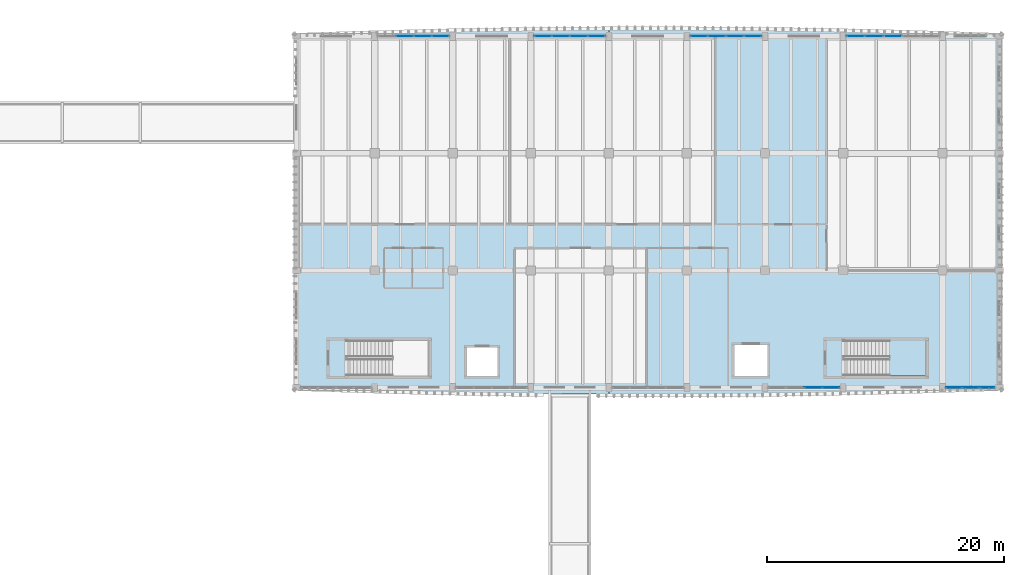
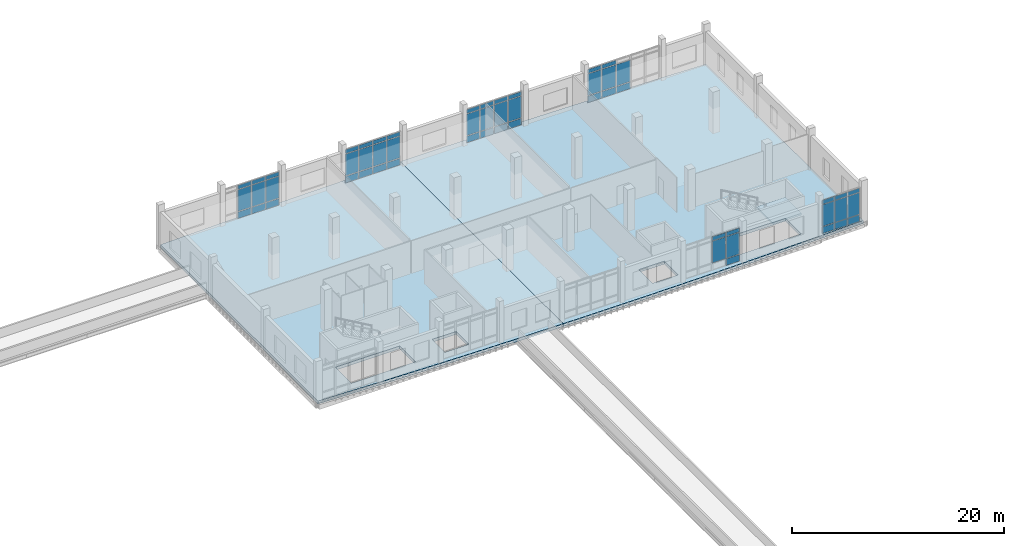
# One storey, part 57 of 101: 55 plates, 3 slabs, 7 elements without a shape of their own.
"""IFC4 building model written with IfcOpenShell, lengths in metres."""

from ifc_helpers import new_model, si_unit, direction, frame, origin, origin_2d, place, context, subcontext, project, spatial, polyline, rectangle, outline, extrude, material, layer, layer_set, type_object, element, aggregate, save


model = new_model("IFC4")

# Units and contexts
model_context = context("Model", 3, precision=1e-05, world=origin(), true_north=direction((0.0, 1.0)))
body_context = subcontext(model_context, "Body", "Model", "MODEL_VIEW")
ifc_project = project(units=[si_unit("LENGTHUNIT", "METRE"), si_unit("AREAUNIT", "SQUARE_METRE"), si_unit("VOLUMEUNIT", "CUBIC_METRE"), si_unit("PLANEANGLEUNIT", "RADIAN"), si_unit("MASSUNIT", "GRAM", prefix="KILO")], contexts=[model_context])

# Site, building, storey
site_placement = place(None, origin())
site = spatial("IfcSite", under=ifc_project, at=site_placement, CompositionType="ELEMENT")
building_placement = place(site_placement, origin())
building = spatial("IfcBuilding", under=site, at=building_placement, Name="Dornvale Research Institute", CompositionType="ELEMENT")
storey_placement = place(building_placement, frame((0.0, 0.0, 10.199951171875)))
storey = spatial("IfcBuildingStorey", under=building, at=storey_placement, Name="L02", CompositionType="ELEMENT", Elevation=10.199951171875)

# Curtain wall, plates
ifc_material_1 = material(Name="Low-E Argon Double Insulating Glazing Unit", Category="glass")
curtain_wall_type_1 = type_object("IfcCurtainWallType", Name="UnitisedCurtainWall_V4_6100x3950", PredefinedType="USERDEFINED", material=ifc_material_1)
curtain_wall_1_placement = place(storey_placement, origin())
curtain_wall_1 = element("IfcCurtainWall", 1, at=curtain_wall_1_placement, inside=storey, type_object=curtain_wall_type_1, Name="L02 V4 unitised curtain wall CW-11 #82", ObjectType="UNITISED CURTAIN WALL", PredefinedType="USERDEFINED")
ifc_material_2 = material(Name="Insulated Ceramic-Frit Spandrel Glass Panel", Category="glass")
ifc_layer_1 = layer(ifc_material_2, 0.0419921875)
ifc_layer_set_1 = layer_set([ifc_layer_1], Name="Insulated Ceramic-Frit Spandrel Glass Panel")
plate_type_1 = type_object("IfcPlateType", Name="CurtainPanel_Spandrel_42", PredefinedType="CURTAIN_PANEL", material=ifc_layer_set_1)
plate_1_placement = place(storey_placement, frame((127.9375, 122.10009765625, 0.065185546875), z_axis=(0.0, 0.0, 1.0), x_axis=(1.0, 0.0, 0.0)))
plate_1 = element("IfcPlate", 2, at=plate_1_placement, type_object=plate_type_1, Name="CW-11 panel 2.1", PredefinedType="CURTAIN_PANEL", context=body_context, shape_type="SweptSolid", body=[
    extrude(rectangle(XDim=1.4599609375, YDim=0.0419921875, at=origin_2d()), origin(), (0.0, 0.0, 1.0), 0.75244140625),
])
plate_2_placement = place(storey_placement, frame((129.46240234375, 122.10009765625, 0.065185546875), z_axis=(0.0, 0.0, 1.0), x_axis=(1.0, 0.0, 0.0)))
plate_2 = element("IfcPlate", 3, at=plate_2_placement, type_object=plate_type_1, Name="CW-11 panel 3.1", PredefinedType="CURTAIN_PANEL", context=body_context, shape_type="SweptSolid", body=[
    extrude(rectangle(XDim=1.4599609375, YDim=0.0419921875, at=origin_2d()), origin(), (0.0, 0.0, 1.0), 0.75244140625),
])
plate_3_placement = place(storey_placement, frame((130.97119140625, 122.10009765625, 0.065185546875), z_axis=(0.0, 0.0, 1.0), x_axis=(1.0, 0.0, 0.0)))
plate_3 = element("IfcPlate", 4, at=plate_3_placement, type_object=plate_type_1, Name="CW-11 panel 4.1", PredefinedType="CURTAIN_PANEL", context=body_context, shape_type="SweptSolid", body=[
    extrude(rectangle(XDim=1.427490234375, YDim=0.0419921875, at=origin_2d()), origin(), (0.0, 0.0, 1.0), 0.75244140625),
])

curtain_wall_2_placement = place(storey_placement, origin())
curtain_wall_2 = element("IfcCurtainWall", 5, at=curtain_wall_2_placement, inside=storey, type_object=curtain_wall_type_1, Name="L02 V4 unitised curtain wall CW-11 #83", ObjectType="UNITISED CURTAIN WALL", PredefinedType="USERDEFINED")
plate_4_placement = place(storey_placement, frame((139.628662109375, 122.10009765625, 0.065185546875), z_axis=(0.0, 0.0, 1.0), x_axis=(1.0, 0.0, 0.0)))
plate_4 = element("IfcPlate", 6, at=plate_4_placement, type_object=plate_type_1, Name="CW-11 panel 1.1", PredefinedType="CURTAIN_PANEL", context=body_context, shape_type="SweptSolid", body=[
    extrude(rectangle(XDim=1.427490234375, YDim=0.0419921875, at=origin_2d()), origin(), (0.0, 0.0, 1.0), 0.75244140625),
])
plate_5_placement = place(storey_placement, frame((141.137451171875, 122.10009765625, 0.065185546875), z_axis=(0.0, 0.0, 1.0), x_axis=(1.0, 0.0, 0.0)))
plate_5 = element("IfcPlate", 7, at=plate_5_placement, type_object=plate_type_1, Name="CW-11 panel 2.1", PredefinedType="CURTAIN_PANEL", context=body_context, shape_type="SweptSolid", body=[
    extrude(rectangle(XDim=1.4599609375, YDim=0.0419921875, at=origin_2d()), origin(), (0.0, 0.0, 1.0), 0.75244140625),
])
plate_6_placement = place(storey_placement, frame((142.66259765625, 122.10009765625, 0.065185546875), z_axis=(0.0, 0.0, 1.0), x_axis=(1.0, 0.0, 0.0)))
plate_6 = element("IfcPlate", 8, at=plate_6_placement, type_object=plate_type_1, Name="CW-11 panel 3.1", PredefinedType="CURTAIN_PANEL", context=body_context, shape_type="SweptSolid", body=[
    extrude(rectangle(XDim=1.4599609375, YDim=0.0419921875, at=origin_2d()), origin(), (0.0, 0.0, 1.0), 0.75244140625),
])
plate_7_placement = place(storey_placement, frame((144.171142578125, 122.10009765625, 0.065185546875), z_axis=(0.0, 0.0, 1.0), x_axis=(1.0, 0.0, 0.0)))
plate_7 = element("IfcPlate", 9, at=plate_7_placement, type_object=plate_type_1, Name="CW-11 panel 4.1", PredefinedType="CURTAIN_PANEL", context=body_context, shape_type="SweptSolid", body=[
    extrude(rectangle(XDim=1.427490234375, YDim=0.0419921875, at=origin_2d()), origin(), (0.0, 0.0, 1.0), 0.75244140625),
])

curtain_wall_3_placement = place(storey_placement, origin())
curtain_wall_3 = element("IfcCurtainWall", 10, at=curtain_wall_3_placement, inside=storey, type_object=curtain_wall_type_1, Name="L02 V4 unitised curtain wall CW-11 #84", ObjectType="UNITISED CURTAIN WALL", PredefinedType="USERDEFINED")
plate_8_placement = place(storey_placement, frame((152.828857421875, 122.10009765625, 0.065185546875), z_axis=(0.0, 0.0, 1.0), x_axis=(1.0, 0.0, 0.0)))
plate_8 = element("IfcPlate", 11, at=plate_8_placement, type_object=plate_type_1, Name="CW-11 panel 1.1", PredefinedType="CURTAIN_PANEL", context=body_context, shape_type="SweptSolid", body=[
    extrude(rectangle(XDim=1.427490234375, YDim=0.0419921875, at=origin_2d()), origin(), (0.0, 0.0, 1.0), 0.75244140625),
])
plate_9_placement = place(storey_placement, frame((154.33740234375, 122.10009765625, 0.065185546875), z_axis=(0.0, 0.0, 1.0), x_axis=(1.0, 0.0, 0.0)))
plate_9 = element("IfcPlate", 12, at=plate_9_placement, type_object=plate_type_1, Name="CW-11 panel 2.1", PredefinedType="CURTAIN_PANEL", context=body_context, shape_type="SweptSolid", body=[
    extrude(rectangle(XDim=1.4599609375, YDim=0.0419921875, at=origin_2d()), origin(), (0.0, 0.0, 1.0), 0.75244140625),
])
plate_10_placement = place(storey_placement, frame((155.862548828125, 122.10009765625, 0.065185546875), z_axis=(0.0, 0.0, 1.0), x_axis=(1.0, 0.0, 0.0)))
plate_10 = element("IfcPlate", 13, at=plate_10_placement, type_object=plate_type_1, Name="CW-11 panel 3.1", PredefinedType="CURTAIN_PANEL", context=body_context, shape_type="SweptSolid", body=[
    extrude(rectangle(XDim=1.4599609375, YDim=0.0419921875, at=origin_2d()), origin(), (0.0, 0.0, 1.0), 0.75244140625),
])
plate_11_placement = place(storey_placement, frame((157.371337890625, 122.10009765625, 0.065185546875), z_axis=(0.0, 0.0, 1.0), x_axis=(1.0, 0.0, 0.0)))
plate_11 = element("IfcPlate", 14, at=plate_11_placement, type_object=plate_type_1, Name="CW-11 panel 4.1", PredefinedType="CURTAIN_PANEL", context=body_context, shape_type="SweptSolid", body=[
    extrude(rectangle(XDim=1.427490234375, YDim=0.0419921875, at=origin_2d()), origin(), (0.0, 0.0, 1.0), 0.75244140625),
])

ifc_material_3 = material(Name="Low-E Argon Double Insulating Glazing Unit", Category="glass")
curtain_wall_type_2 = type_object("IfcCurtainWallType", Name="UnitisedCurtainWall_V4_7900x3950", PredefinedType="USERDEFINED", material=ifc_material_3)
curtain_wall_4_placement = place(storey_placement, origin())
curtain_wall_4 = element("IfcCurtainWall", 15, at=curtain_wall_4_placement, inside=storey, type_object=curtain_wall_type_2, Name="L02 V4 unitised curtain wall CW-12 #85", ObjectType="UNITISED CURTAIN WALL", PredefinedType="USERDEFINED")
plate_12_placement = place(storey_placement, frame((166.05615234375, 122.10009765625, 0.065185546875), z_axis=(0.0, 0.0, 1.0), x_axis=(1.0, 0.0, 0.0)))
plate_12 = element("IfcPlate", 16, at=plate_12_placement, type_object=plate_type_1, Name="CW-12 panel 1.1", PredefinedType="CURTAIN_PANEL", context=body_context, shape_type="SweptSolid", body=[
    extrude(rectangle(XDim=1.482421875, YDim=0.0419921875, at=origin_2d()), origin(), (0.0, 0.0, 1.0), 0.75244140625),
])
plate_13_placement = place(storey_placement, frame((167.6201171875, 122.10009765625, 0.065185546875), z_axis=(0.0, 0.0, 1.0), x_axis=(1.0, 0.0, 0.0)))
plate_13 = element("IfcPlate", 17, at=plate_13_placement, type_object=plate_type_1, Name="CW-12 panel 2.1", PredefinedType="CURTAIN_PANEL", context=body_context, shape_type="SweptSolid", body=[
    extrude(rectangle(XDim=1.514892578125, YDim=0.0419921875, at=origin_2d()), origin(), (0.0, 0.0, 1.0), 0.75244140625),
])
plate_14_placement = place(storey_placement, frame((169.199951171875, 122.10009765625, 0.065185546875), z_axis=(0.0, 0.0, 1.0), x_axis=(1.0, 0.0, 0.0)))
plate_14 = element("IfcPlate", 18, at=plate_14_placement, type_object=plate_type_1, Name="CW-12 panel 3.1", PredefinedType="CURTAIN_PANEL", context=body_context, shape_type="SweptSolid", body=[
    extrude(rectangle(XDim=1.514892578125, YDim=0.0419921875, at=origin_2d()), origin(), (0.0, 0.0, 1.0), 0.75244140625),
])

ifc_material_4 = material(Name="Low-E Argon Double Insulating Glazing Unit", Category="glass")
curtain_wall_type_3 = type_object("IfcCurtainWallType", Name="UnitisedCurtainWall_V4_4200x3950", PredefinedType="USERDEFINED", material=ifc_material_4)
curtain_wall_5_placement = place(storey_placement, origin())
curtain_wall_5 = element("IfcCurtainWall", 19, at=curtain_wall_5_placement, inside=storey, type_object=curtain_wall_type_3, Name="L02 V4 unitised curtain wall CW-13 #86", ObjectType="UNITISED CURTAIN WALL", PredefinedType="USERDEFINED")
plate_15_placement = place(storey_placement, frame((177.1337890625, 92.39990234375, 0.065185546875), z_axis=(0.0, 0.0, 1.0), x_axis=(-1.0, 0.0, 0.0)))
plate_15 = element("IfcPlate", 20, at=plate_15_placement, type_object=plate_type_1, Name="CW-13 panel 1.1", PredefinedType="CURTAIN_PANEL", context=body_context, shape_type="SweptSolid", body=[
    extrude(rectangle(XDim=1.302490234375, YDim=0.0419921875, at=origin_2d()), origin(), (0.0, 0.0, 1.0), 0.75244140625),
])
plate_16_placement = place(storey_placement, frame((175.75, 92.39990234375, 0.065185546875), z_axis=(0.0, 0.0, 1.0), x_axis=(-1.0, 0.0, 0.0)))
plate_16 = element("IfcPlate", 21, at=plate_16_placement, type_object=plate_type_1, Name="CW-13 panel 2.1", PredefinedType="CURTAIN_PANEL", context=body_context, shape_type="SweptSolid", body=[
    extrude(rectangle(XDim=1.3349609375, YDim=0.0419921875, at=origin_2d()), origin(), (0.0, 0.0, 1.0), 0.75244140625),
])
plate_17_placement = place(storey_placement, frame((174.3662109375, 92.39990234375, 0.065185546875), z_axis=(0.0, 0.0, 1.0), x_axis=(-1.0, 0.0, 0.0)))
plate_17 = element("IfcPlate", 22, at=plate_17_placement, type_object=plate_type_1, Name="CW-13 panel 3.1", PredefinedType="CURTAIN_PANEL", context=body_context, shape_type="SweptSolid", body=[
    extrude(rectangle(XDim=1.302490234375, YDim=0.0419921875, at=origin_2d()), origin(), (0.0, 0.0, 1.0), 0.75244140625),
])

# Curtain wall, plate
curtain_wall_6_placement = place(storey_placement, origin())
curtain_wall_6 = element("IfcCurtainWall", 23, at=curtain_wall_6_placement, inside=storey, type_object=curtain_wall_type_1, Name="L02 V4 unitised curtain wall CW-11 #87", ObjectType="UNITISED CURTAIN WALL", PredefinedType="USERDEFINED")
plate_18_placement = place(storey_placement, frame((163.97119140625, 92.39990234375, 0.065185546875), z_axis=(0.0, 0.0, 1.0), x_axis=(-1.0, 0.0, 0.0)))
plate_18 = element("IfcPlate", 24, at=plate_18_placement, type_object=plate_type_1, Name="CW-11 panel 1.1", PredefinedType="CURTAIN_PANEL", context=body_context, shape_type="SweptSolid", body=[
    extrude(rectangle(XDim=1.427490234375, YDim=0.0419921875, at=origin_2d()), origin(), (0.0, 0.0, 1.0), 0.75244140625),
])

# Plate
ifc_material_5 = material(Name="Low-E Argon Double Insulating Glazing Unit", Category="glass")
ifc_layer_2 = layer(ifc_material_5, 0.028076171875)
ifc_layer_set_2 = layer_set([ifc_layer_2], Name="Low-E Argon Double Insulating Glazing Unit")
plate_type_2 = type_object("IfcPlateType", Name="CurtainPanel_Vision_28", PredefinedType="CURTAIN_PANEL", material=ifc_layer_set_2)
plate_19_placement = place(storey_placement, frame((127.9375, 122.10009765625, 0.88232421875), z_axis=(0.0, 0.0, 1.0), x_axis=(1.0, 0.0, 0.0)))
plate_19 = element("IfcPlate", 25, at=plate_19_placement, type_object=plate_type_2, Name="CW-11 panel 2.2", PredefinedType="CURTAIN_PANEL", context=body_context, shape_type="SweptSolid", body=[
    extrude(rectangle(XDim=1.4599609375, YDim=0.028076171875, at=origin_2d()), origin(), (0.0, 0.0, 1.0), 2.485107421875),
])

plate_20_placement = place(storey_placement, frame((127.9375, 122.10009765625, 3.4326171875), z_axis=(0.0, 0.0, 1.0), x_axis=(1.0, 0.0, 0.0)))
plate_20 = element("IfcPlate", 26, at=plate_20_placement, type_object=plate_type_2, Name="CW-11 panel 2.3", PredefinedType="CURTAIN_PANEL", context=body_context, shape_type="SweptSolid", body=[
    extrude(rectangle(XDim=1.4599609375, YDim=0.028076171875, at=origin_2d()), origin(), (0.0, 0.0, 1.0), 0.452392578125),
])

plate_21_placement = place(storey_placement, frame((129.46240234375, 122.10009765625, 0.88232421875), z_axis=(0.0, 0.0, 1.0), x_axis=(1.0, 0.0, 0.0)))
plate_21 = element("IfcPlate", 27, at=plate_21_placement, type_object=plate_type_2, Name="CW-11 panel 3.2", PredefinedType="CURTAIN_PANEL", context=body_context, shape_type="SweptSolid", body=[
    extrude(rectangle(XDim=1.4599609375, YDim=0.028076171875, at=origin_2d()), origin(), (0.0, 0.0, 1.0), 2.485107421875),
])

plate_22_placement = place(storey_placement, frame((129.46240234375, 122.10009765625, 3.4326171875), z_axis=(0.0, 0.0, 1.0), x_axis=(1.0, 0.0, 0.0)))
plate_22 = element("IfcPlate", 28, at=plate_22_placement, type_object=plate_type_2, Name="CW-11 panel 3.3", PredefinedType="CURTAIN_PANEL", context=body_context, shape_type="SweptSolid", body=[
    extrude(rectangle(XDim=1.4599609375, YDim=0.028076171875, at=origin_2d()), origin(), (0.0, 0.0, 1.0), 0.452392578125),
])

plate_23_placement = place(storey_placement, frame((130.97119140625, 122.10009765625, 0.88232421875), z_axis=(0.0, 0.0, 1.0), x_axis=(1.0, 0.0, 0.0)))
plate_23 = element("IfcPlate", 29, at=plate_23_placement, type_object=plate_type_2, Name="CW-11 panel 4.2", PredefinedType="CURTAIN_PANEL", context=body_context, shape_type="SweptSolid", body=[
    extrude(rectangle(XDim=1.427490234375, YDim=0.028076171875, at=origin_2d()), origin(), (0.0, 0.0, 1.0), 2.485107421875),
])

plate_24_placement = place(storey_placement, frame((130.97119140625, 122.10009765625, 3.4326171875), z_axis=(0.0, 0.0, 1.0), x_axis=(1.0, 0.0, 0.0)))
plate_24 = element("IfcPlate", 30, at=plate_24_placement, type_object=plate_type_2, Name="CW-11 panel 4.3", PredefinedType="CURTAIN_PANEL", context=body_context, shape_type="SweptSolid", body=[
    extrude(rectangle(XDim=1.427490234375, YDim=0.028076171875, at=origin_2d()), origin(), (0.0, 0.0, 1.0), 0.452392578125),
])

aggregate(curtain_wall_1, [plate_1, plate_19, plate_20, plate_2, plate_21, plate_22, plate_3, plate_23, plate_24])

plate_25_placement = place(storey_placement, frame((139.628662109375, 122.10009765625, 0.88232421875), z_axis=(0.0, 0.0, 1.0), x_axis=(1.0, 0.0, 0.0)))
plate_25 = element("IfcPlate", 31, at=plate_25_placement, type_object=plate_type_2, Name="CW-11 panel 1.2", PredefinedType="CURTAIN_PANEL", context=body_context, shape_type="SweptSolid", body=[
    extrude(rectangle(XDim=1.427490234375, YDim=0.028076171875, at=origin_2d()), origin(), (0.0, 0.0, 1.0), 2.485107421875),
])

plate_26_placement = place(storey_placement, frame((139.628662109375, 122.10009765625, 3.4326171875), z_axis=(0.0, 0.0, 1.0), x_axis=(1.0, 0.0, 0.0)))
plate_26 = element("IfcPlate", 32, at=plate_26_placement, type_object=plate_type_2, Name="CW-11 panel 1.3", PredefinedType="CURTAIN_PANEL", context=body_context, shape_type="SweptSolid", body=[
    extrude(rectangle(XDim=1.427490234375, YDim=0.028076171875, at=origin_2d()), origin(), (0.0, 0.0, 1.0), 0.452392578125),
])

plate_27_placement = place(storey_placement, frame((141.137451171875, 122.10009765625, 0.88232421875), z_axis=(0.0, 0.0, 1.0), x_axis=(1.0, 0.0, 0.0)))
plate_27 = element("IfcPlate", 33, at=plate_27_placement, type_object=plate_type_2, Name="CW-11 panel 2.2", PredefinedType="CURTAIN_PANEL", context=body_context, shape_type="SweptSolid", body=[
    extrude(rectangle(XDim=1.4599609375, YDim=0.028076171875, at=origin_2d()), origin(), (0.0, 0.0, 1.0), 2.485107421875),
])

plate_28_placement = place(storey_placement, frame((141.137451171875, 122.10009765625, 3.4326171875), z_axis=(0.0, 0.0, 1.0), x_axis=(1.0, 0.0, 0.0)))
plate_28 = element("IfcPlate", 34, at=plate_28_placement, type_object=plate_type_2, Name="CW-11 panel 2.3", PredefinedType="CURTAIN_PANEL", context=body_context, shape_type="SweptSolid", body=[
    extrude(rectangle(XDim=1.4599609375, YDim=0.028076171875, at=origin_2d()), origin(), (0.0, 0.0, 1.0), 0.452392578125),
])

plate_29_placement = place(storey_placement, frame((142.66259765625, 122.10009765625, 0.88232421875), z_axis=(0.0, 0.0, 1.0), x_axis=(1.0, 0.0, 0.0)))
plate_29 = element("IfcPlate", 35, at=plate_29_placement, type_object=plate_type_2, Name="CW-11 panel 3.2", PredefinedType="CURTAIN_PANEL", context=body_context, shape_type="SweptSolid", body=[
    extrude(rectangle(XDim=1.4599609375, YDim=0.028076171875, at=origin_2d()), origin(), (0.0, 0.0, 1.0), 2.485107421875),
])

plate_30_placement = place(storey_placement, frame((142.66259765625, 122.10009765625, 3.4326171875), z_axis=(0.0, 0.0, 1.0), x_axis=(1.0, 0.0, 0.0)))
plate_30 = element("IfcPlate", 36, at=plate_30_placement, type_object=plate_type_2, Name="CW-11 panel 3.3", PredefinedType="CURTAIN_PANEL", context=body_context, shape_type="SweptSolid", body=[
    extrude(rectangle(XDim=1.4599609375, YDim=0.028076171875, at=origin_2d()), origin(), (0.0, 0.0, 1.0), 0.452392578125),
])

plate_31_placement = place(storey_placement, frame((144.171142578125, 122.10009765625, 0.88232421875), z_axis=(0.0, 0.0, 1.0), x_axis=(1.0, 0.0, 0.0)))
plate_31 = element("IfcPlate", 37, at=plate_31_placement, type_object=plate_type_2, Name="CW-11 panel 4.2", PredefinedType="CURTAIN_PANEL", context=body_context, shape_type="SweptSolid", body=[
    extrude(rectangle(XDim=1.427490234375, YDim=0.028076171875, at=origin_2d()), origin(), (0.0, 0.0, 1.0), 2.485107421875),
])

plate_32_placement = place(storey_placement, frame((144.171142578125, 122.10009765625, 3.4326171875), z_axis=(0.0, 0.0, 1.0), x_axis=(1.0, 0.0, 0.0)))
plate_32 = element("IfcPlate", 38, at=plate_32_placement, type_object=plate_type_2, Name="CW-11 panel 4.3", PredefinedType="CURTAIN_PANEL", context=body_context, shape_type="SweptSolid", body=[
    extrude(rectangle(XDim=1.427490234375, YDim=0.028076171875, at=origin_2d()), origin(), (0.0, 0.0, 1.0), 0.452392578125),
])

aggregate(curtain_wall_2, [plate_4, plate_25, plate_26, plate_5, plate_27, plate_28, plate_6, plate_29, plate_30, plate_7, plate_31, plate_32])

plate_33_placement = place(storey_placement, frame((152.828857421875, 122.10009765625, 0.88232421875), z_axis=(0.0, 0.0, 1.0), x_axis=(1.0, 0.0, 0.0)))
plate_33 = element("IfcPlate", 39, at=plate_33_placement, type_object=plate_type_2, Name="CW-11 panel 1.2", PredefinedType="CURTAIN_PANEL", context=body_context, shape_type="SweptSolid", body=[
    extrude(rectangle(XDim=1.427490234375, YDim=0.028076171875, at=origin_2d()), origin(), (0.0, 0.0, 1.0), 2.485107421875),
])

plate_34_placement = place(storey_placement, frame((152.828857421875, 122.10009765625, 3.4326171875), z_axis=(0.0, 0.0, 1.0), x_axis=(1.0, 0.0, 0.0)))
plate_34 = element("IfcPlate", 40, at=plate_34_placement, type_object=plate_type_2, Name="CW-11 panel 1.3", PredefinedType="CURTAIN_PANEL", context=body_context, shape_type="SweptSolid", body=[
    extrude(rectangle(XDim=1.427490234375, YDim=0.028076171875, at=origin_2d()), origin(), (0.0, 0.0, 1.0), 0.452392578125),
])

plate_35_placement = place(storey_placement, frame((154.33740234375, 122.10009765625, 0.88232421875), z_axis=(0.0, 0.0, 1.0), x_axis=(1.0, 0.0, 0.0)))
plate_35 = element("IfcPlate", 41, at=plate_35_placement, type_object=plate_type_2, Name="CW-11 panel 2.2", PredefinedType="CURTAIN_PANEL", context=body_context, shape_type="SweptSolid", body=[
    extrude(rectangle(XDim=1.4599609375, YDim=0.028076171875, at=origin_2d()), origin(), (0.0, 0.0, 1.0), 2.485107421875),
])

plate_36_placement = place(storey_placement, frame((154.33740234375, 122.10009765625, 3.4326171875), z_axis=(0.0, 0.0, 1.0), x_axis=(1.0, 0.0, 0.0)))
plate_36 = element("IfcPlate", 42, at=plate_36_placement, type_object=plate_type_2, Name="CW-11 panel 2.3", PredefinedType="CURTAIN_PANEL", context=body_context, shape_type="SweptSolid", body=[
    extrude(rectangle(XDim=1.4599609375, YDim=0.028076171875, at=origin_2d()), origin(), (0.0, 0.0, 1.0), 0.452392578125),
])

plate_37_placement = place(storey_placement, frame((155.862548828125, 122.10009765625, 0.88232421875), z_axis=(0.0, 0.0, 1.0), x_axis=(1.0, 0.0, 0.0)))
plate_37 = element("IfcPlate", 43, at=plate_37_placement, type_object=plate_type_2, Name="CW-11 panel 3.2", PredefinedType="CURTAIN_PANEL", context=body_context, shape_type="SweptSolid", body=[
    extrude(rectangle(XDim=1.4599609375, YDim=0.028076171875, at=origin_2d()), origin(), (0.0, 0.0, 1.0), 2.485107421875),
])

plate_38_placement = place(storey_placement, frame((155.862548828125, 122.10009765625, 3.4326171875), z_axis=(0.0, 0.0, 1.0), x_axis=(1.0, 0.0, 0.0)))
plate_38 = element("IfcPlate", 44, at=plate_38_placement, type_object=plate_type_2, Name="CW-11 panel 3.3", PredefinedType="CURTAIN_PANEL", context=body_context, shape_type="SweptSolid", body=[
    extrude(rectangle(XDim=1.4599609375, YDim=0.028076171875, at=origin_2d()), origin(), (0.0, 0.0, 1.0), 0.452392578125),
])

plate_39_placement = place(storey_placement, frame((157.371337890625, 122.10009765625, 0.88232421875), z_axis=(0.0, 0.0, 1.0), x_axis=(1.0, 0.0, 0.0)))
plate_39 = element("IfcPlate", 45, at=plate_39_placement, type_object=plate_type_2, Name="CW-11 panel 4.2", PredefinedType="CURTAIN_PANEL", context=body_context, shape_type="SweptSolid", body=[
    extrude(rectangle(XDim=1.427490234375, YDim=0.028076171875, at=origin_2d()), origin(), (0.0, 0.0, 1.0), 2.485107421875),
])

plate_40_placement = place(storey_placement, frame((157.371337890625, 122.10009765625, 3.4326171875), z_axis=(0.0, 0.0, 1.0), x_axis=(1.0, 0.0, 0.0)))
plate_40 = element("IfcPlate", 46, at=plate_40_placement, type_object=plate_type_2, Name="CW-11 panel 4.3", PredefinedType="CURTAIN_PANEL", context=body_context, shape_type="SweptSolid", body=[
    extrude(rectangle(XDim=1.427490234375, YDim=0.028076171875, at=origin_2d()), origin(), (0.0, 0.0, 1.0), 0.452392578125),
])

aggregate(curtain_wall_3, [plate_8, plate_33, plate_34, plate_9, plate_35, plate_36, plate_10, plate_37, plate_38, plate_11, plate_39, plate_40])

plate_41_placement = place(storey_placement, frame((166.05615234375, 122.10009765625, 0.88232421875), z_axis=(0.0, 0.0, 1.0), x_axis=(1.0, 0.0, 0.0)))
plate_41 = element("IfcPlate", 47, at=plate_41_placement, type_object=plate_type_2, Name="CW-12 panel 1.2", PredefinedType="CURTAIN_PANEL", context=body_context, shape_type="SweptSolid", body=[
    extrude(rectangle(XDim=1.482421875, YDim=0.028076171875, at=origin_2d()), origin(), (0.0, 0.0, 1.0), 2.485107421875),
])

plate_42_placement = place(storey_placement, frame((166.05615234375, 122.10009765625, 3.4326171875), z_axis=(0.0, 0.0, 1.0), x_axis=(1.0, 0.0, 0.0)))
plate_42 = element("IfcPlate", 48, at=plate_42_placement, type_object=plate_type_2, Name="CW-12 panel 1.3", PredefinedType="CURTAIN_PANEL", context=body_context, shape_type="SweptSolid", body=[
    extrude(rectangle(XDim=1.482421875, YDim=0.028076171875, at=origin_2d()), origin(), (0.0, 0.0, 1.0), 0.452392578125),
])

plate_43_placement = place(storey_placement, frame((167.6201171875, 122.10009765625, 0.88232421875), z_axis=(0.0, 0.0, 1.0), x_axis=(1.0, 0.0, 0.0)))
plate_43 = element("IfcPlate", 49, at=plate_43_placement, type_object=plate_type_2, Name="CW-12 panel 2.2", PredefinedType="CURTAIN_PANEL", context=body_context, shape_type="SweptSolid", body=[
    extrude(rectangle(XDim=1.514892578125, YDim=0.028076171875, at=origin_2d()), origin(), (0.0, 0.0, 1.0), 2.485107421875),
])

plate_44_placement = place(storey_placement, frame((167.6201171875, 122.10009765625, 3.4326171875), z_axis=(0.0, 0.0, 1.0), x_axis=(1.0, 0.0, 0.0)))
plate_44 = element("IfcPlate", 50, at=plate_44_placement, type_object=plate_type_2, Name="CW-12 panel 2.3", PredefinedType="CURTAIN_PANEL", context=body_context, shape_type="SweptSolid", body=[
    extrude(rectangle(XDim=1.514892578125, YDim=0.028076171875, at=origin_2d()), origin(), (0.0, 0.0, 1.0), 0.452392578125),
])

plate_45_placement = place(storey_placement, frame((169.199951171875, 122.10009765625, 0.88232421875), z_axis=(0.0, 0.0, 1.0), x_axis=(1.0, 0.0, 0.0)))
plate_45 = element("IfcPlate", 51, at=plate_45_placement, type_object=plate_type_2, Name="CW-12 panel 3.2", PredefinedType="CURTAIN_PANEL", context=body_context, shape_type="SweptSolid", body=[
    extrude(rectangle(XDim=1.514892578125, YDim=0.028076171875, at=origin_2d()), origin(), (0.0, 0.0, 1.0), 2.485107421875),
])

aggregate(curtain_wall_4, [plate_12, plate_41, plate_42, plate_13, plate_43, plate_44, plate_14, plate_45])

plate_46_placement = place(storey_placement, frame((177.1337890625, 92.39990234375, 0.88232421875), z_axis=(0.0, 0.0, 1.0), x_axis=(-1.0, 0.0, 0.0)))
plate_46 = element("IfcPlate", 52, at=plate_46_placement, type_object=plate_type_2, Name="CW-13 panel 1.2", PredefinedType="CURTAIN_PANEL", context=body_context, shape_type="SweptSolid", body=[
    extrude(rectangle(XDim=1.302490234375, YDim=0.028076171875, at=origin_2d()), origin(), (0.0, 0.0, 1.0), 2.485107421875),
])

plate_47_placement = place(storey_placement, frame((177.1337890625, 92.39990234375, 3.4326171875), z_axis=(0.0, 0.0, 1.0), x_axis=(-1.0, 0.0, 0.0)))
plate_47 = element("IfcPlate", 53, at=plate_47_placement, type_object=plate_type_2, Name="CW-13 panel 1.3", PredefinedType="CURTAIN_PANEL", context=body_context, shape_type="SweptSolid", body=[
    extrude(rectangle(XDim=1.302490234375, YDim=0.028076171875, at=origin_2d()), origin(), (0.0, 0.0, 1.0), 0.452392578125),
])

plate_48_placement = place(storey_placement, frame((175.75, 92.39990234375, 0.88232421875), z_axis=(0.0, 0.0, 1.0), x_axis=(-1.0, 0.0, 0.0)))
plate_48 = element("IfcPlate", 54, at=plate_48_placement, type_object=plate_type_2, Name="CW-13 panel 2.2", PredefinedType="CURTAIN_PANEL", context=body_context, shape_type="SweptSolid", body=[
    extrude(rectangle(XDim=1.3349609375, YDim=0.028076171875, at=origin_2d()), origin(), (0.0, 0.0, 1.0), 2.485107421875),
])

plate_49_placement = place(storey_placement, frame((175.75, 92.39990234375, 3.4326171875), z_axis=(0.0, 0.0, 1.0), x_axis=(-1.0, 0.0, 0.0)))
plate_49 = element("IfcPlate", 55, at=plate_49_placement, type_object=plate_type_2, Name="CW-13 panel 2.3", PredefinedType="CURTAIN_PANEL", context=body_context, shape_type="SweptSolid", body=[
    extrude(rectangle(XDim=1.3349609375, YDim=0.028076171875, at=origin_2d()), origin(), (0.0, 0.0, 1.0), 0.452392578125),
])

plate_50_placement = place(storey_placement, frame((174.3662109375, 92.39990234375, 0.88232421875), z_axis=(0.0, 0.0, 1.0), x_axis=(-1.0, 0.0, 0.0)))
plate_50 = element("IfcPlate", 56, at=plate_50_placement, type_object=plate_type_2, Name="CW-13 panel 3.2", PredefinedType="CURTAIN_PANEL", context=body_context, shape_type="SweptSolid", body=[
    extrude(rectangle(XDim=1.302490234375, YDim=0.028076171875, at=origin_2d()), origin(), (0.0, 0.0, 1.0), 2.485107421875),
])

plate_51_placement = place(storey_placement, frame((174.3662109375, 92.39990234375, 3.4326171875), z_axis=(0.0, 0.0, 1.0), x_axis=(-1.0, 0.0, 0.0)))
plate_51 = element("IfcPlate", 57, at=plate_51_placement, type_object=plate_type_2, Name="CW-13 panel 3.3", PredefinedType="CURTAIN_PANEL", context=body_context, shape_type="SweptSolid", body=[
    extrude(rectangle(XDim=1.302490234375, YDim=0.028076171875, at=origin_2d()), origin(), (0.0, 0.0, 1.0), 0.452392578125),
])

aggregate(curtain_wall_5, [plate_15, plate_46, plate_47, plate_16, plate_48, plate_49, plate_17, plate_50, plate_51])

plate_52_placement = place(storey_placement, frame((163.97119140625, 92.39990234375, 0.88232421875), z_axis=(0.0, 0.0, 1.0), x_axis=(-1.0, 0.0, 0.0)))
plate_52 = element("IfcPlate", 58, at=plate_52_placement, type_object=plate_type_2, Name="CW-11 panel 1.2", PredefinedType="CURTAIN_PANEL", context=body_context, shape_type="SweptSolid", body=[
    extrude(rectangle(XDim=1.427490234375, YDim=0.028076171875, at=origin_2d()), origin(), (0.0, 0.0, 1.0), 2.485107421875),
])

plate_53_placement = place(storey_placement, frame((163.97119140625, 92.39990234375, 3.4326171875), z_axis=(0.0, 0.0, 1.0), x_axis=(-1.0, 0.0, 0.0)))
plate_53 = element("IfcPlate", 59, at=plate_53_placement, type_object=plate_type_2, Name="CW-11 panel 1.3", PredefinedType="CURTAIN_PANEL", context=body_context, shape_type="SweptSolid", body=[
    extrude(rectangle(XDim=1.427490234375, YDim=0.028076171875, at=origin_2d()), origin(), (0.0, 0.0, 1.0), 0.452392578125),
])

plate_54_placement = place(storey_placement, frame((162.46240234375, 92.39990234375, 0.88232421875), z_axis=(0.0, 0.0, 1.0), x_axis=(-1.0, 0.0, 0.0)))
plate_54 = element("IfcPlate", 60, at=plate_54_placement, type_object=plate_type_2, Name="CW-11 panel 2.2", PredefinedType="CURTAIN_PANEL", context=body_context, shape_type="SweptSolid", body=[
    extrude(rectangle(XDim=1.4599609375, YDim=0.028076171875, at=origin_2d()), origin(), (0.0, 0.0, 1.0), 2.485107421875),
])

plate_55_placement = place(storey_placement, frame((162.46240234375, 92.39990234375, 3.4326171875), z_axis=(0.0, 0.0, 1.0), x_axis=(-1.0, 0.0, 0.0)))
plate_55 = element("IfcPlate", 61, at=plate_55_placement, type_object=plate_type_2, Name="CW-11 panel 2.3", PredefinedType="CURTAIN_PANEL", context=body_context, shape_type="SweptSolid", body=[
    extrude(rectangle(XDim=1.4599609375, YDim=0.028076171875, at=origin_2d()), origin(), (0.0, 0.0, 1.0), 0.452392578125),
])

aggregate(curtain_wall_6, [plate_18, plate_52, plate_53, plate_54, plate_55])

# Slabs
ifc_material_6 = material(Name="Concrete f'c 45 MPa (C35/45)", Category="concrete")
ifc_layer_3 = layer(ifc_material_6, 0.340087890625)
ifc_layer_set_3 = layer_set([ifc_layer_3], Name="Concrete f'c 45 MPa (C35/45)")
slab_type_1 = type_object("IfcSlabType", Name="FloorSlab_WetLab_340", PredefinedType="FLOOR", material=ifc_layer_set_3)
slab_1_placement = place(storey_placement, frame((0.0, 0.0, -0.33984375)))
element("IfcSlab", 62, at=slab_1_placement, inside=storey, type_object=slab_type_1, Name="L02 V4 W floor slab", PredefinedType="FLOOR", context=body_context, shape_type="SweptSolid", body=[
    extrude(outline(polyline([(143.550048828125, 91.865234375), (141.89990234375, 91.877197265625), (140.25, 91.892333984375), (138.60009765625, 91.9111328125), (136.949951171875, 91.93310546875), (135.300048828125, 91.95849609375), (133.64990234375, 91.987548828125), (132.0, 92.019775390625), (130.35009765625, 92.055419921875), (128.699951171875, 92.094482421875), (127.050048828125, 92.136962890625), (125.39990234375, 92.1826171875), (123.75, 92.23193359375), (122.10009765625, 92.28466796875), (120.449951171875, 92.340576171875), (118.800048828125, 92.39990234375), (118.800048828125, 122.10009765625), (120.449951171875, 122.159423828125), (122.10009765625, 122.21533203125), (123.75, 122.26806640625), (125.39990234375, 122.3173828125), (127.050048828125, 122.363037109375), (128.699951171875, 122.405517578125), (130.35009765625, 122.444580078125), (132.0, 122.480224609375), (133.64990234375, 122.512451171875), (135.300048828125, 122.54150390625), (136.949951171875, 122.56689453125), (138.60009765625, 122.5888671875), (140.25, 122.607666015625), (141.89990234375, 122.622802734375), (143.550048828125, 122.634765625), (145.199951171875, 122.643310546875), (145.199951171875, 91.856689453125), (143.550048828125, 91.865234375)]), holes=[polyline([(123.02001953125, 93.39990234375), (130.0, 93.39990234375), (130.0, 96.39990234375), (123.02001953125, 96.39990234375), (123.02001953125, 93.39990234375)]), polyline([(133.199951171875, 93.39990234375), (135.800048828125, 93.39990234375), (135.800048828125, 95.800048828125), (133.199951171875, 95.800048828125), (133.199951171875, 93.39990234375)])]), origin(), (0.0, 0.0, 1.0), 0.33984375),
])
slab_2_placement = place(storey_placement, frame((0.0, 0.0, -0.33984375)))
element("IfcSlab", 63, at=slab_2_placement, inside=storey, type_object=slab_type_1, Name="L02 V4 E floor slab", PredefinedType="FLOOR", context=body_context, shape_type="SweptSolid", body=[
    extrude(outline(polyline([(146.85009765625, 122.648193359375), (148.5, 122.64990234375), (150.14990234375, 122.648193359375), (151.800048828125, 122.643310546875), (153.449951171875, 122.634765625), (155.10009765625, 122.622802734375), (156.75, 122.607666015625), (158.39990234375, 122.5888671875), (160.050048828125, 122.56689453125), (161.699951171875, 122.54150390625), (163.35009765625, 122.512451171875), (165.0, 122.480224609375), (166.64990234375, 122.444580078125), (168.300048828125, 122.405517578125), (169.949951171875, 122.363037109375), (171.60009765625, 122.3173828125), (173.25, 122.26806640625), (174.89990234375, 122.21533203125), (176.550048828125, 122.159423828125), (178.199951171875, 122.10009765625), (178.199951171875, 92.39990234375), (176.550048828125, 92.340576171875), (174.89990234375, 92.28466796875), (173.25, 92.23193359375), (171.60009765625, 92.1826171875), (169.949951171875, 92.136962890625), (168.300048828125, 92.094482421875), (166.64990234375, 92.055419921875), (165.0, 92.019775390625), (163.35009765625, 91.987548828125), (161.699951171875, 91.95849609375), (160.050048828125, 91.93310546875), (158.39990234375, 91.9111328125), (156.75, 91.892333984375), (155.10009765625, 91.877197265625), (153.449951171875, 91.865234375), (151.800048828125, 91.856689453125), (150.14990234375, 91.851806640625), (148.5, 91.85009765625), (146.85009765625, 91.851806640625), (145.199951171875, 91.856689453125), (145.199951171875, 122.643310546875), (146.85009765625, 122.648193359375)]), holes=[polyline([(165.02001953125, 93.39990234375), (172.0, 93.39990234375), (172.0, 96.39990234375), (165.02001953125, 96.39990234375), (165.02001953125, 93.39990234375)]), polyline([(155.800048828125, 93.39990234375), (158.60009765625, 93.39990234375), (158.60009765625, 96.0), (155.800048828125, 96.0), (155.800048828125, 93.39990234375)])]), origin(), (0.0, 0.0, 1.0), 0.33984375),
])

# Stair, slab
ifc_material_7 = material(Name="Concrete f'c 45 MPa (C35/45)", Category="concrete")
stair_type = type_object("IfcStairType", Name="HalfTurnStair_RC", PredefinedType="HALF_TURN_STAIR", material=ifc_material_7)
stair_placement = place(storey_placement, origin())
stair = element("IfcStair", 64, at=stair_placement, inside=storey, type_object=stair_type, Name="L02 Exit stair ST-4", PredefinedType="HALF_TURN_STAIR")
ifc_material_8 = material(Name="Concrete f'c 45 MPa (C35/45)", Category="concrete")
ifc_layer_4 = layer(ifc_material_8, 0.199951171875)
ifc_layer_set_4 = layer_set([ifc_layer_4], Name="Concrete f'c 45 MPa (C35/45)")
slab_type_2 = type_object("IfcSlabType", Name="Landing_Stair_200", PredefinedType="LANDING", material=ifc_layer_set_4)
slab_3_placement = place(storey_placement, frame((0.0, 0.0, 2.199951171875)))
slab_3 = element("IfcSlab", 65, at=slab_3_placement, type_object=slab_type_2, Name="ST-4 landing 1", PredefinedType="LANDING", context=body_context, shape_type="SweptSolid", body=[
    extrude(outline(polyline([(168.889892578125, 93.3701171875), (168.889892578125, 96.429931640625), (172.030029296875, 96.429931640625), (172.030029296875, 93.3701171875), (168.889892578125, 93.3701171875)])), origin(), (0.0, 0.0, 1.0), 0.2001953125),
])
aggregate(stair, [slab_3])

save(model, "model.ifc")
